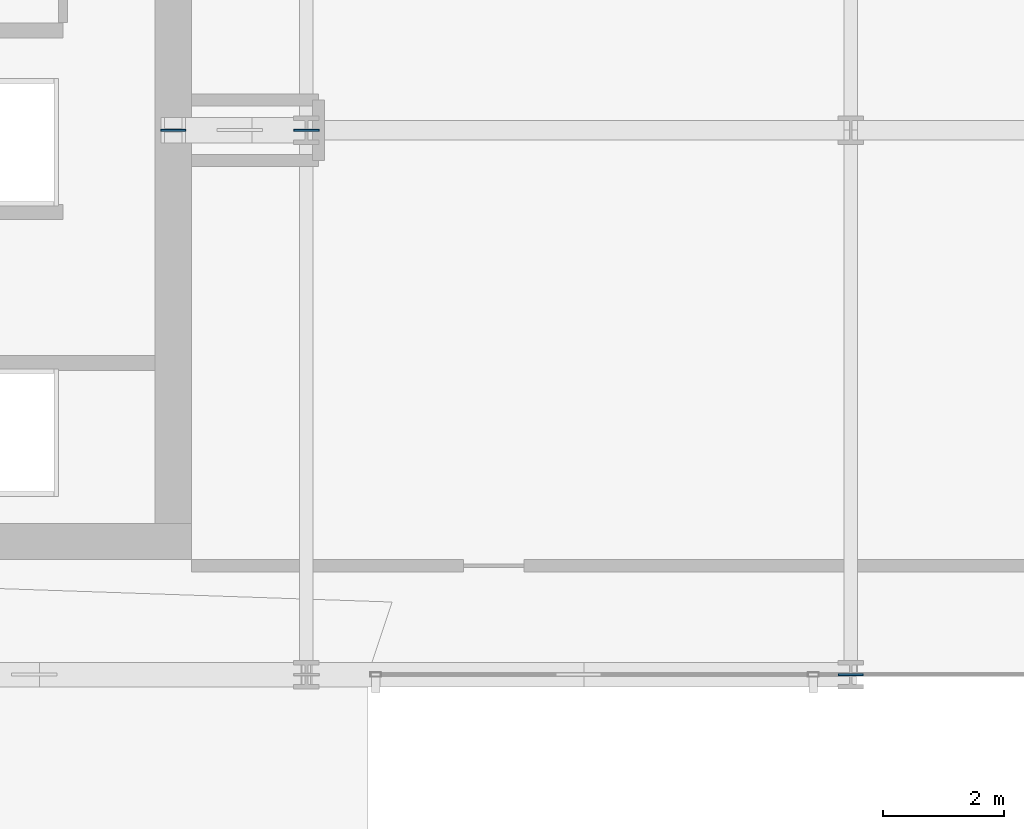
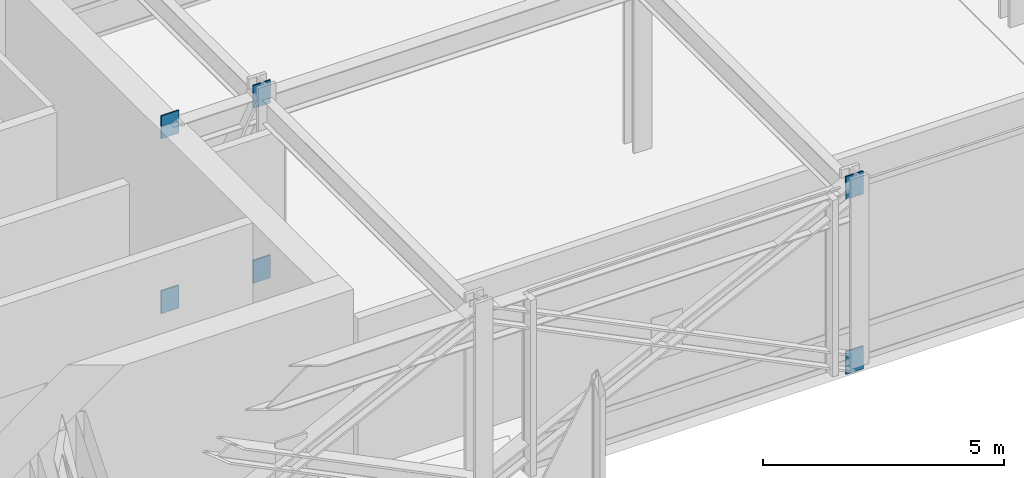
# One storey, part 33 of 42: 6 plates.
"""IFC4 building model written with IfcOpenShell, lengths in metres."""

from ifc_helpers import new_model, si_unit, direction, frame, origin, origin_2d, place, context, subcontext, project, spatial, rectangle, extrude, material, layer, layer_set, type_object, element, save


model = new_model("IFC4")

# Units and contexts
model_context = context("Model", 3, precision=1e-05, world=origin(), true_north=direction((0.0, 1.0)))
body_context = subcontext(model_context, "Body", "Model", "MODEL_VIEW")
ifc_project = project(units=[si_unit("LENGTHUNIT", "METRE"), si_unit("AREAUNIT", "SQUARE_METRE"), si_unit("VOLUMEUNIT", "CUBIC_METRE"), si_unit("PLANEANGLEUNIT", "RADIAN"), si_unit("MASSUNIT", "GRAM", prefix="KILO")], contexts=[model_context])

# Site, building, storey
site_placement = place(None, origin())
site = spatial("IfcSite", under=ifc_project, at=site_placement, CompositionType="ELEMENT")
building_placement = place(site_placement, origin())
building = spatial("IfcBuilding", under=site, at=building_placement, Name="Solvaryn Broadcast Tower", CompositionType="ELEMENT")
storey_placement = place(building_placement, frame((0.0, 0.0, 100.199951171875)))
storey = spatial("IfcBuildingStorey", under=building, at=storey_placement, Name="L24", CompositionType="ELEMENT", Elevation=100.199951171875)

# Plates
ifc_material = material(Name="Steel ASTM A572 Grade 50", Category="steel")
ifc_layer = layer(ifc_material, 0.031982421875)
ifc_layer_set = layer_set([ifc_layer], Name="PL-ENDCAP-32")
plate_type = type_object("IfcPlateType", Name="PL-ENDCAP-32", PredefinedType="USERDEFINED", material=ifc_layer_set)
for number, where, z_axis, x_axis, name in (
    (1, (42.800048828125, 18.0, -0.27001953125), (0.0, 0.0, 1.0), (1.0, 0.0, 0.0), "L24 Outrigger X-Brace E Continuous Diagonal End Plate A"),
    (2, (45.0, 18.0, 4.159912109375), (0.0, 0.0, 1.0), (1.0, 0.0, 0.0), "L24 Outrigger X-Brace E Continuous Diagonal End Plate B"),
    (3, (42.800048828125, 18.0, 4.159912109375), (0.0, 0.0, 1.0), (1.0, 0.0, 0.0), "L24 Outrigger X-Brace E End Plate 2A"),
    (4, (45.0, 18.0, -0.27001953125), (0.0, 0.0, 1.0), (1.0, 0.0, 0.0), "L24 Outrigger X-Brace E End Plate 2B"),
    (5, (54.0, 9.0, 4.159912109375), (0.0, 0.0, 1.0), (1.0, 0.0, 0.0), "L24 South Belt X-Brace 6 Continuous Diagonal End Plate B"),
    (6, (54.0, 9.0, -0.27001953125), (0.0, 0.0, 1.0), (1.0, 0.0, 0.0), "L24 South Belt X-Brace 6 End Plate 2A"),
):
    element("IfcPlate", number, at=place(storey_placement, frame(where, z_axis=z_axis, x_axis=x_axis)), inside=storey, type_object=plate_type, Name=name, ObjectType="FLANGE_PLATE", PredefinedType="USERDEFINED", context=body_context, shape_type="SweptSolid", body=[
        extrude(rectangle(XDim=0.419921875, YDim=0.031982421875, at=origin_2d()), origin(), (0.0, 0.0, 1.0), 0.580078125),
    ])

save(model, "model.ifc")
